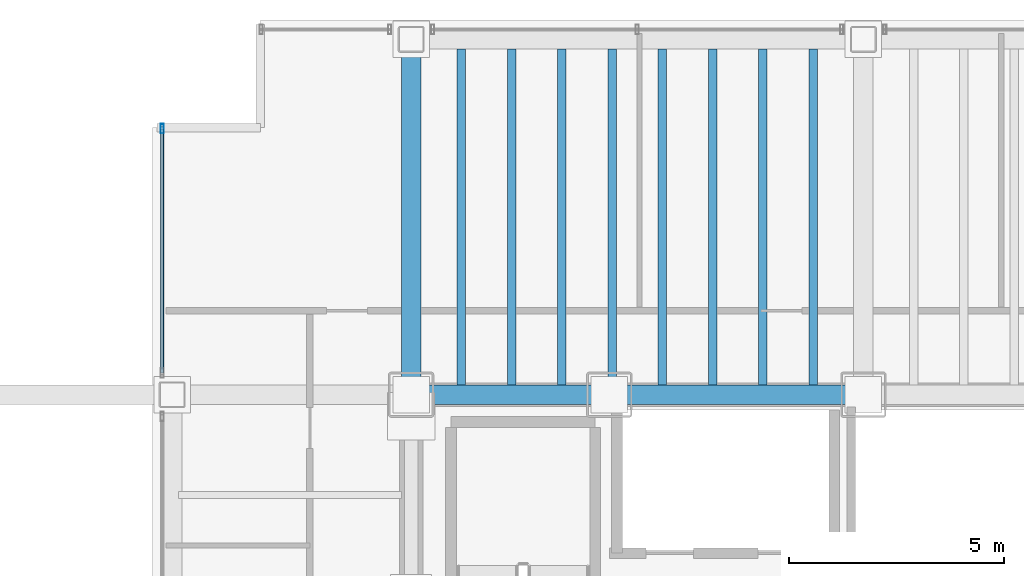
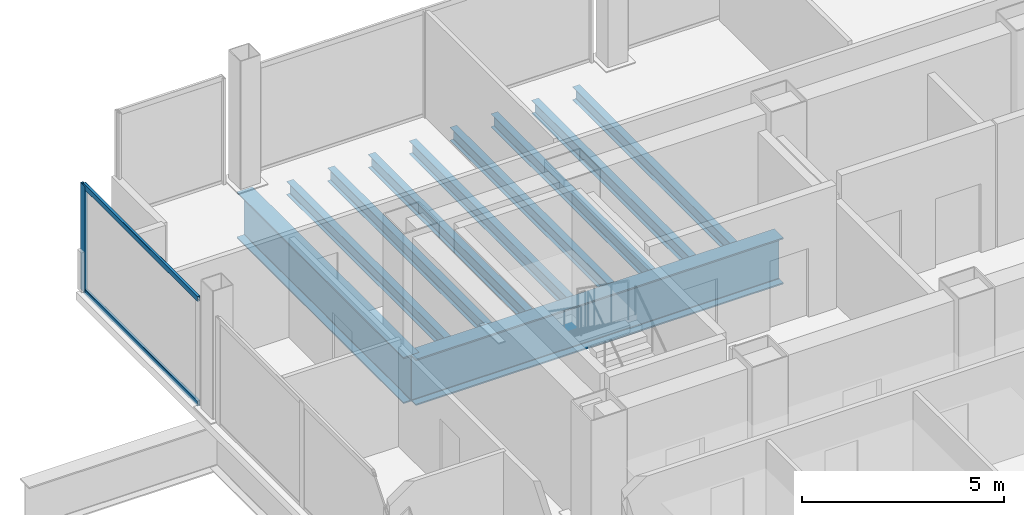
# One storey, part 9 of 23: 10 beams, 3 members, 1 element without a shape of its own.
"""IFC4 building model written with IfcOpenShell, lengths in metres."""

from ifc_helpers import new_model, si_unit, direction, frame, origin, origin_2d, place, context, subcontext, project, spatial, hollow_rectangle, i_section, extrude, material, material_profile, profile_set, type_object, element, aggregate, save


model = new_model("IFC4")

# Units and contexts
model_context = context("Model", 3, precision=1e-05, world=origin(), true_north=direction((0.0, 1.0)))
body_context = subcontext(model_context, "Body", "Model", "MODEL_VIEW")
ifc_project = project(units=[si_unit("LENGTHUNIT", "METRE"), si_unit("AREAUNIT", "SQUARE_METRE"), si_unit("VOLUMEUNIT", "CUBIC_METRE"), si_unit("PLANEANGLEUNIT", "RADIAN"), si_unit("MASSUNIT", "GRAM", prefix="KILO")], contexts=[model_context])

# Site, building, storey
site_placement = place(None, origin())
site = spatial("IfcSite", under=ifc_project, at=site_placement, CompositionType="ELEMENT")
building_placement = place(site_placement, origin())
building = spatial("IfcBuilding", under=site, at=building_placement, Name="Noeulbin Bourse Tower", CompositionType="ELEMENT")
storey_placement = place(building_placement, frame((0.0, 0.0, 53.800048828125)))
storey = spatial("IfcBuildingStorey", under=building, at=storey_placement, Name="L13", CompositionType="ELEMENT", Elevation=53.800048828125)

# Beams
ifc_material_1 = material(Name="Steel S355", Category="steel")
ifc_material_profile_1 = material_profile(ifc_material_1, i_section(OverallWidth=0.199951171875, OverallDepth=0.39990234375, WebThickness=0.008056640625, FlangeThickness=0.012939453125, FilletRadius=0.01611328125, at=origin_2d()), Name="H-400x200x8x13", Category="LoadBearing")
ifc_profile_set_1 = profile_set([ifc_material_profile_1], Name="Steel S355")
beam_type_1 = type_object("IfcBeamType", Name="BM-SEC-400", PredefinedType="BEAM", material=ifc_profile_set_1)
for number, where, z_axis, x_axis, name in (
    (1, (14.666748046875, 38.52490234375, -0.43994140625), (0.0, 1.0, 0.0), (-1.0, 0.0, 0.0), "Tower Composite Joist L13-03"),
    (2, (15.833251953125, 38.52490234375, -0.43994140625), (0.0, 1.0, 0.0), (-1.0, 0.0, 0.0), "Tower Composite Joist L13-06"),
    (3, (17.0, 38.52490234375, -0.43994140625), (0.0, 1.0, 0.0), (-1.0, 0.0, 0.0), "Tower Composite Joist L13-09"),
    (4, (18.166748046875, 38.52490234375, -0.43994140625), (0.0, 1.0, 0.0), (-1.0, 0.0, 0.0), "Tower Composite Joist L13-12"),
    (5, (19.333251953125, 38.52490234375, -0.43994140625), (0.0, 1.0, 0.0), (-1.0, 0.0, 0.0), "Tower Composite Joist L13-15"),
    (6, (20.5, 38.52490234375, -0.43994140625), (0.0, 1.0, 0.0), (-1.0, 0.0, 0.0), "Tower Composite Joist L13-18"),
    (7, (21.666748046875, 38.52490234375, -0.43994140625), (0.0, 1.0, 0.0), (-1.0, 0.0, 0.0), "Tower Composite Joist L13-21"),
    (8, (22.833251953125, 38.52490234375, -0.43994140625), (0.0, 1.0, 0.0), (-1.0, 0.0, 0.0), "Tower Composite Joist L13-24"),
):
    element("IfcBeam", number, at=place(storey_placement, frame(where, z_axis=z_axis, x_axis=x_axis)), inside=storey, type_object=beam_type_1, Name=name, PredefinedType="BEAM", context=body_context, shape_type="SweptSolid", body=[
        extrude(i_section(OverallWidth=0.199951171875, OverallDepth=0.39990234375, WebThickness=0.008056640625, FlangeThickness=0.012939453125, FilletRadius=0.01611328125, at=origin_2d()), origin(), (0.0, 0.0, 1.0), 7.800048828125),
    ])
ifc_material_2 = material(Name="Steel S460", Category="steel")
ifc_material_profile_2 = material_profile(ifc_material_2, i_section(OverallWidth=0.449951171875, OverallDepth=1.39990234375, WebThickness=0.02392578125, FlangeThickness=0.0400390625, FilletRadius=0.02392578125, at=origin_2d()), Name="PG-1400x450x24x40", Category="LoadBearing")
ifc_profile_set_2 = profile_set([ifc_material_profile_2], Name="Steel S460")
beam_type_2 = type_object("IfcBeamType", Name="BM-TRF-1400", PredefinedType="USERDEFINED", material=ifc_profile_set_2)
beam_1_placement = place(storey_placement, frame((13.5, 38.300048828125, -0.93994140625), z_axis=(1.0, 0.0, 0.0), x_axis=(0.0, 1.0, 0.0)))
element("IfcBeam", 9, at=beam_1_placement, inside=storey, type_object=beam_type_2, Name="Tower Primary Girder EW L13-3.2", ObjectType="GIRDER", PredefinedType="USERDEFINED", context=body_context, shape_type="SweptSolid", body=[
    extrude(i_section(OverallWidth=0.449951171875, OverallDepth=1.39990234375, WebThickness=0.02392578125, FlangeThickness=0.0400390625, FilletRadius=0.02392578125, at=origin_2d()), origin(), (0.0, 0.0, 1.0), 10.5),
])
beam_2_placement = place(storey_placement, frame((13.5, 38.300048828125, -0.93994140625), z_axis=(0.0, 1.0, 0.0), x_axis=(-1.0, 0.0, 0.0)))
element("IfcBeam", 10, at=beam_2_placement, inside=storey, type_object=beam_type_2, Name="Tower Primary Girder NS L13-1.4", ObjectType="GIRDER", PredefinedType="USERDEFINED", context=body_context, shape_type="SweptSolid", body=[
    extrude(i_section(OverallWidth=0.449951171875, OverallDepth=1.39990234375, WebThickness=0.02392578125, FlangeThickness=0.0400390625, FilletRadius=0.02392578125, at=origin_2d()), origin(), (0.0, 0.0, 1.0), 8.25),
])

# Curtain wall, members
ifc_material_3 = material(Name="Dark Solar-Control Double Glazing", Category="glass")
curtain_wall_type = type_object("IfcCurtainWallType", Name="CW-SYS-2", PredefinedType="NOTDEFINED", material=ifc_material_3)
curtain_wall_placement = place(storey_placement, origin())
curtain_wall = element("IfcCurtainWall", 11, at=curtain_wall_placement, inside=storey, type_object=curtain_wall_type, Name="Unitised Curtain Wall CW-L13-W-S4", PredefinedType="NOTDEFINED")
ifc_material_4 = material(Name="Anodised Aluminium 6063-T6", Category="aluminium")
ifc_material_profile_3 = material_profile(ifc_material_4, hollow_rectangle(XDim=0.074951171875, YDim=0.219970703125, WallThickness=0.0048828125, InnerFilletRadius=0.00244140625, OuterFilletRadius=0.0048828125, at=origin_2d()), Name="ALU-MULL-75x220x5", Category="LoadBearing")
ifc_profile_set_3 = profile_set([ifc_material_profile_3], Name="Anodised Aluminium 6063-T6")
member_type_1 = type_object("IfcMemberType", Name="CW-SYS-2-MUL", PredefinedType="MULLION", material=ifc_profile_set_3)
member_1_placement = place(storey_placement, frame((7.719970703125, 44.47998046875, -0.02001953125), z_axis=(0.0, 0.0, 1.0), x_axis=(1.0, 0.0, 0.0)))
member_1 = element("IfcMember", 12, at=member_1_placement, type_object=member_type_1, Name="Curtain Wall Mullion CW-L13-W-S4-M01", PredefinedType="MULLION", context=body_context, shape_type="SweptSolid", body=[
    extrude(hollow_rectangle(XDim=0.074951171875, YDim=0.219970703125, WallThickness=0.0048828125, InnerFilletRadius=0.00244140625, OuterFilletRadius=0.0048828125, at=origin_2d()), origin(), (0.0, 0.0, 1.0), 3.219970703125),
])
ifc_material_profile_4 = material_profile(ifc_material_4, hollow_rectangle(XDim=0.074951171875, YDim=0.159912109375, WallThickness=0.0048828125, InnerFilletRadius=0.00244140625, OuterFilletRadius=0.0048828125, at=origin_2d()), Name="ALU-TRAN-75x160x5", Category="LoadBearing")
ifc_profile_set_4 = profile_set([ifc_material_profile_4], Name="Anodised Aluminium 6063-T6")
member_type_2 = type_object("IfcMemberType", Name="CW-SYS-2-TRN", PredefinedType="USERDEFINED", material=ifc_profile_set_4)
member_2_placement = place(storey_placement, frame((7.719970703125, 38.81005859375, 0.010009765625), z_axis=(0.0, 1.0, 0.0), x_axis=(-1.0, 0.0, 0.0)))
member_2 = element("IfcMember", 13, at=member_2_placement, type_object=member_type_2, Name="Curtain Wall Transom CW-L13-W-S4-T00", ObjectType="TRANSOM", PredefinedType="USERDEFINED", context=body_context, shape_type="SweptSolid", body=[
    extrude(hollow_rectangle(XDim=0.074951171875, YDim=0.159912109375, WallThickness=0.0048828125, InnerFilletRadius=0.00244140625, OuterFilletRadius=0.0048828125, at=origin_2d()), origin(), (0.0, 0.0, 1.0), 5.659912109375),
])
member_3_placement = place(storey_placement, frame((7.719970703125, 38.81005859375, 3.169921875), z_axis=(0.0, 1.0, 0.0), x_axis=(-1.0, 0.0, 0.0)))
member_3 = element("IfcMember", 14, at=member_3_placement, type_object=member_type_2, Name="Curtain Wall Transom CW-L13-W-S4-T01", ObjectType="TRANSOM", PredefinedType="USERDEFINED", context=body_context, shape_type="SweptSolid", body=[
    extrude(hollow_rectangle(XDim=0.074951171875, YDim=0.159912109375, WallThickness=0.0048828125, InnerFilletRadius=0.00244140625, OuterFilletRadius=0.0048828125, at=origin_2d()), origin(), (0.0, 0.0, 1.0), 5.659912109375),
])
aggregate(curtain_wall, [member_1, member_2, member_3])

save(model, "model.ifc")
